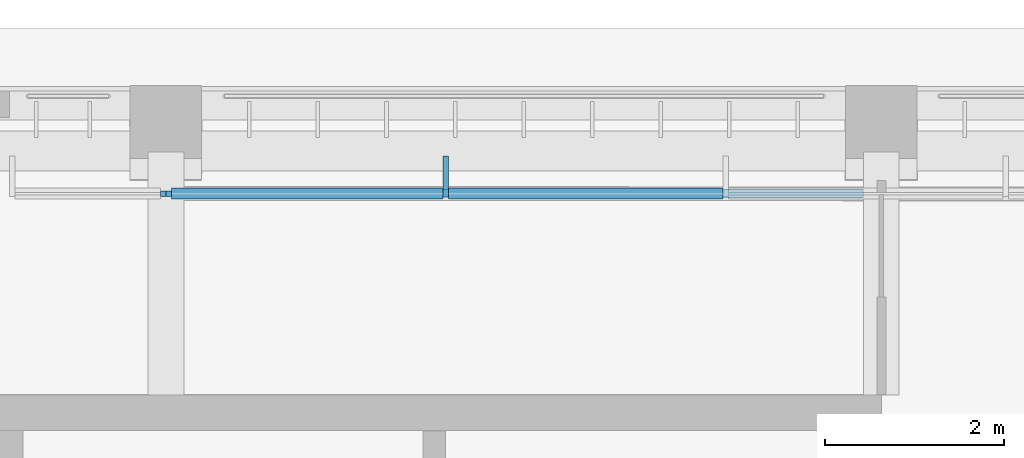
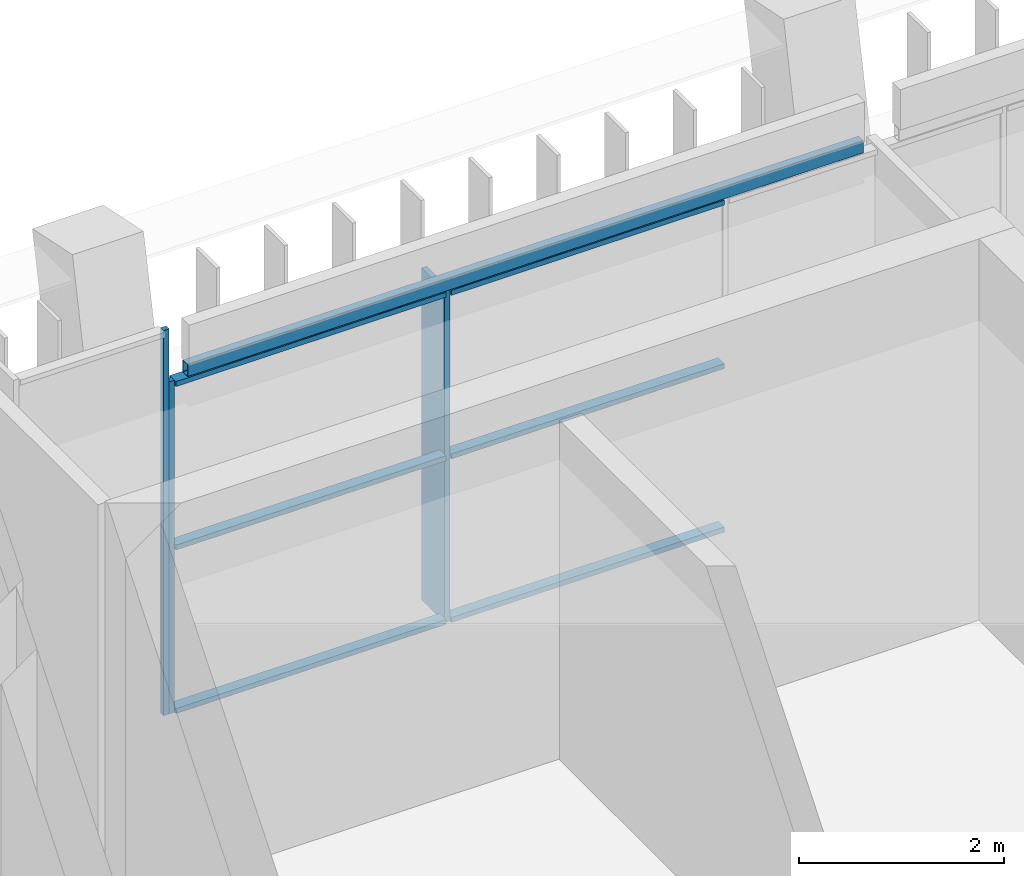
# One storey, part 36 of 89: 9 members, 1 beam, 2 elements without a shape of their own.
"""IFC4 building model written with IfcOpenShell, lengths in metres."""

from ifc_helpers import new_model, si_unit, direction, frame, origin, origin_2d, place, context, subcontext, project, spatial, rectangle, hollow_rectangle, extrude, material, material_profile, profile_set, type_object, element, aggregate, save


model = new_model("IFC4")

# Units and contexts
model_context = context("Model", 3, precision=1e-05, world=origin(), true_north=direction((0.0, 1.0)))
body_context = subcontext(model_context, "Body", "Model", "MODEL_VIEW")
ifc_project = project(units=[si_unit("LENGTHUNIT", "METRE"), si_unit("AREAUNIT", "SQUARE_METRE"), si_unit("VOLUMEUNIT", "CUBIC_METRE"), si_unit("PLANEANGLEUNIT", "RADIAN"), si_unit("MASSUNIT", "GRAM", prefix="KILO")], contexts=[model_context])

# Site, building, storey
site_placement = place(None, origin())
site = spatial("IfcSite", under=ifc_project, at=site_placement, CompositionType="ELEMENT")
building_placement = place(site_placement, origin())
building = spatial("IfcBuilding", under=site, at=building_placement, Name="Lantern Court Media Centre", CompositionType="ELEMENT")
storey_placement = place(building_placement, frame((0.0, 0.0, 14.39990234375)))
storey = spatial("IfcBuildingStorey", under=building, at=storey_placement, Name="L03", CompositionType="ELEMENT", Elevation=14.39990234375)

# Curtain wall, member
ifc_material_1 = material(Name="Curtain wall bay 3000")
curtain_wall_type = type_object("IfcCurtainWallType", Name="Curtain wall bay 3000", PredefinedType="NOTDEFINED", material=ifc_material_1)
curtain_wall_1_placement = place(storey_placement, origin())
curtain_wall_1 = element("IfcCurtainWall", 1, at=curtain_wall_1_placement, inside=storey, type_object=curtain_wall_type, Name="Curtain wall N outer L03", PredefinedType="NOTDEFINED")
ifc_material_2 = material(Name="Anodised aluminium", Category="aluminium")
ifc_material_profile_1 = material_profile(ifc_material_2, rectangle(XDim=0.449951171875, YDim=0.06005859375, at=origin_2d()), Name="AL 60x450")
ifc_profile_set_1 = profile_set([ifc_material_profile_1], Name="Anodised aluminium")
member_type_1 = type_object("IfcMemberType", Name="Curtain wall mullion 60x450", PredefinedType="MULLION", material=ifc_profile_set_1)
member_1_placement = place(storey_placement, frame((51.1298828125, 114.044921875, 0.0), z_axis=(0.0, 0.0, 1.0), x_axis=(0.0, 1.0, 0.0)))
member_1 = element("IfcMember", 2, at=member_1_placement, type_object=member_type_1, Name="CW1 mullion 2", PredefinedType="MULLION", context=body_context, shape_type="SweptSolid", body=[
    extrude(rectangle(XDim=0.449951171875, YDim=0.06005859375, at=origin_2d()), origin(), (0.0, 0.0, 1.0), 3.9501953125),
])

curtain_wall_2_placement = place(storey_placement, origin())
curtain_wall_2 = element("IfcCurtainWall", 3, at=curtain_wall_2_placement, inside=storey, type_object=curtain_wall_type, Name="Curtain wall N outer L03", PredefinedType="NOTDEFINED")
ifc_material_profile_2 = material_profile(ifc_material_2, rectangle(XDim=0.06005859375, YDim=0.06005859375, at=origin_2d()), Name="AL 60x60")
ifc_profile_set_2 = profile_set([ifc_material_profile_2], Name="Anodised aluminium")
member_type_2 = type_object("IfcMemberType", Name="Curtain wall mullion 60x60", PredefinedType="MULLION", material=ifc_profile_set_2)
member_2_placement = place(storey_placement, frame((47.969970703125, 113.85009765625, 0.0), z_axis=(0.0, 0.0, 1.0), x_axis=(0.0, 1.0, 0.0)))
member_2 = element("IfcMember", 4, at=member_2_placement, type_object=member_type_2, Name="CW1 mullion 2", PredefinedType="MULLION", context=body_context, shape_type="SweptSolid", body=[
    extrude(rectangle(XDim=0.06005859375, YDim=0.06005859375, at=origin_2d()), origin(), (0.0, 0.0, 1.0), 4.580078125),
])
aggregate(curtain_wall_2, [member_2])

# Member
member_3_placement = place(storey_placement, frame((48.030029296875, 113.85009765625, 0.0), z_axis=(0.0, 0.0, 1.0), x_axis=(0.0, 1.0, 0.0)))
member_3 = element("IfcMember", 5, at=member_3_placement, type_object=member_type_2, Name="CW1 mullion 1", PredefinedType="MULLION", context=body_context, shape_type="SweptSolid", body=[
    extrude(rectangle(XDim=0.06005859375, YDim=0.06005859375, at=origin_2d()), origin(), (0.0, 0.0, 1.0), 3.9501953125),
])

ifc_material_profile_3 = material_profile(ifc_material_2, rectangle(XDim=0.1201171875, YDim=0.06005859375, at=origin_2d()), Name="AL 60x120")
ifc_profile_set_3 = profile_set([ifc_material_profile_3], Name="Anodised aluminium")
member_type_3 = type_object("IfcMemberType", Name="Curtain wall transom 60x120", PredefinedType="USERDEFINED", material=ifc_profile_set_3)
member_4_placement = place(storey_placement, frame((48.06005859375, 113.85009765625, 0.030029296875), z_axis=(1.0, 0.0, 0.0), x_axis=(0.0, 1.0, 0.0)))
member_4 = element("IfcMember", 6, at=member_4_placement, type_object=member_type_3, Name="CW1 transom 1.1", ObjectType="TRANSOM", PredefinedType="USERDEFINED", context=body_context, shape_type="SweptSolid", body=[
    extrude(rectangle(XDim=0.1201171875, YDim=0.06005859375, at=origin_2d()), origin(), (0.0, 0.0, 1.0), 3.0400390625),
])

member_5_placement = place(storey_placement, frame((48.06005859375, 113.85009765625, 1.97509765625), z_axis=(1.0, 0.0, 0.0), x_axis=(0.0, 1.0, 0.0)))
member_5 = element("IfcMember", 7, at=member_5_placement, type_object=member_type_3, Name="CW1 transom 1.2", ObjectType="TRANSOM", PredefinedType="USERDEFINED", context=body_context, shape_type="SweptSolid", body=[
    extrude(rectangle(XDim=0.1201171875, YDim=0.06005859375, at=origin_2d()), origin(), (0.0, 0.0, 1.0), 3.0400390625),
])

member_6_placement = place(storey_placement, frame((48.06005859375, 113.85009765625, 3.920166015625), z_axis=(1.0, 0.0, 0.0), x_axis=(0.0, 1.0, 0.0)))
member_6 = element("IfcMember", 8, at=member_6_placement, type_object=member_type_3, Name="CW1 transom 1.3", ObjectType="TRANSOM", PredefinedType="USERDEFINED", context=body_context, shape_type="SweptSolid", body=[
    extrude(rectangle(XDim=0.1201171875, YDim=0.06005859375, at=origin_2d()), origin(), (0.0, 0.0, 1.0), 3.0400390625),
])

member_7_placement = place(storey_placement, frame((51.159912109375, 113.85009765625, 0.030029296875), z_axis=(1.0, 0.0, 0.0), x_axis=(0.0, 1.0, 0.0)))
member_7 = element("IfcMember", 9, at=member_7_placement, type_object=member_type_3, Name="CW1 transom 2.1", ObjectType="TRANSOM", PredefinedType="USERDEFINED", context=body_context, shape_type="SweptSolid", body=[
    extrude(rectangle(XDim=0.1201171875, YDim=0.06005859375, at=origin_2d()), origin(), (0.0, 0.0, 1.0), 3.070068359375),
])

member_8_placement = place(storey_placement, frame((51.159912109375, 113.85009765625, 1.97509765625), z_axis=(1.0, 0.0, 0.0), x_axis=(0.0, 1.0, 0.0)))
member_8 = element("IfcMember", 10, at=member_8_placement, type_object=member_type_3, Name="CW1 transom 2.2", ObjectType="TRANSOM", PredefinedType="USERDEFINED", context=body_context, shape_type="SweptSolid", body=[
    extrude(rectangle(XDim=0.1201171875, YDim=0.06005859375, at=origin_2d()), origin(), (0.0, 0.0, 1.0), 3.070068359375),
])

member_9_placement = place(storey_placement, frame((51.159912109375, 113.85009765625, 3.920166015625), z_axis=(1.0, 0.0, 0.0), x_axis=(0.0, 1.0, 0.0)))
member_9 = element("IfcMember", 11, at=member_9_placement, type_object=member_type_3, Name="CW1 transom 2.3", ObjectType="TRANSOM", PredefinedType="USERDEFINED", context=body_context, shape_type="SweptSolid", body=[
    extrude(rectangle(XDim=0.1201171875, YDim=0.06005859375, at=origin_2d()), origin(), (0.0, 0.0, 1.0), 3.070068359375),
])

aggregate(curtain_wall_1, [member_3, member_1, member_4, member_5, member_6, member_7, member_8, member_9])

# Beam
ifc_material_3 = material(Name="Steel S355J2 (EN 10025-2)", Category="steel")
ifc_material_profile_4 = material_profile(ifc_material_3, hollow_rectangle(XDim=0.10009765625, YDim=0.14990234375, WallThickness=0.00634765625, InnerFilletRadius=0.00634765625, OuterFilletRadius=0.009521484375, at=origin_2d()), Name="Facade head lintel RHS 150x100x6.3")
ifc_profile_set_4 = profile_set([ifc_material_profile_4], Name="Steel S355J2 (EN 10025-2)")
beam_type = type_object("IfcBeamType", Name="Facade head lintel RHS 150x100x6.3", PredefinedType="BEAM", material=ifc_profile_set_4)
beam_placement = place(storey_placement, frame((48.199951171875, 113.85009765625, 4.025146484375), z_axis=(1.0, 0.0, 0.0), x_axis=(0.0, 1.0, 0.0)))
element("IfcBeam", 12, at=beam_placement, inside=storey, type_object=beam_type, Name="Facade head lintel N L03", PredefinedType="BEAM", context=body_context, shape_type="SweptSolid", body=[
    extrude(hollow_rectangle(XDim=0.10009765625, YDim=0.14990234375, WallThickness=0.00634765625, InnerFilletRadius=0.00634765625, OuterFilletRadius=0.009521484375, at=origin_2d()), origin(), (0.0, 0.0, 1.0), 7.60009765625),
])

save(model, "model.ifc")
